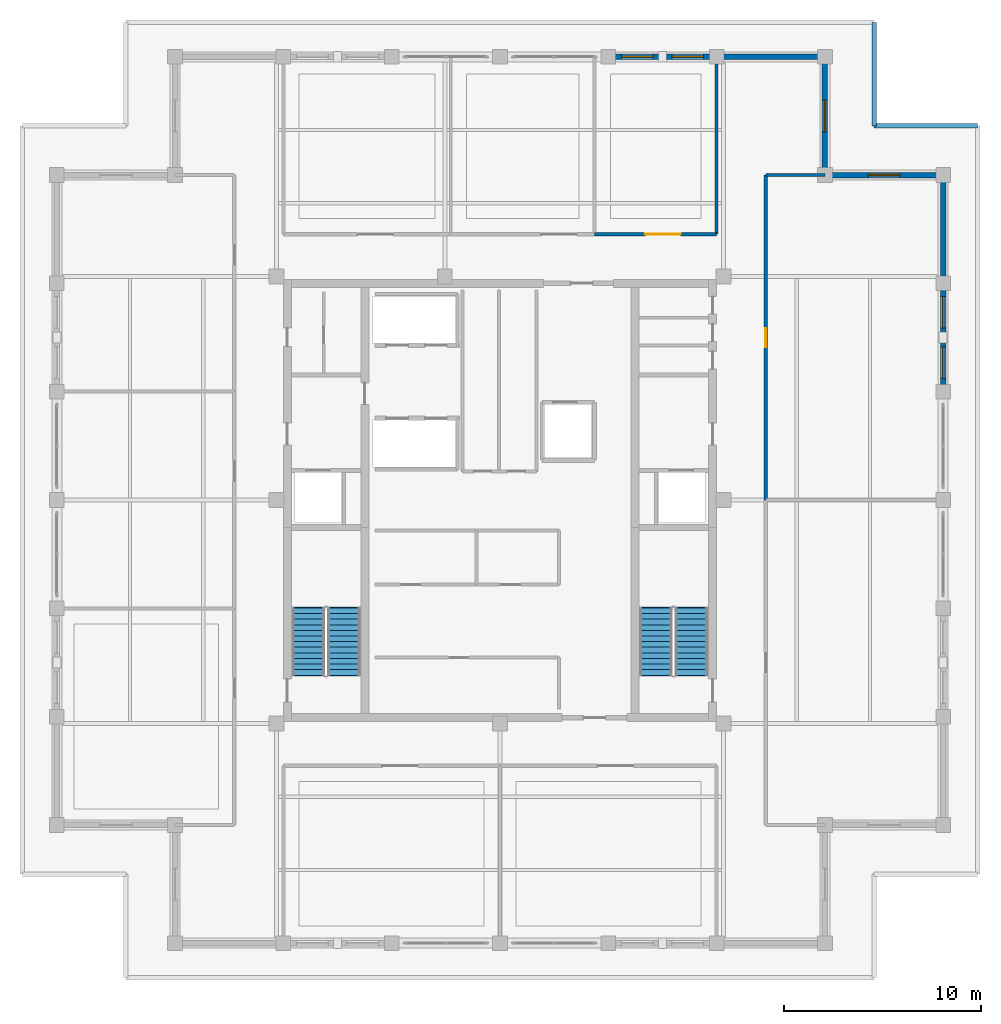
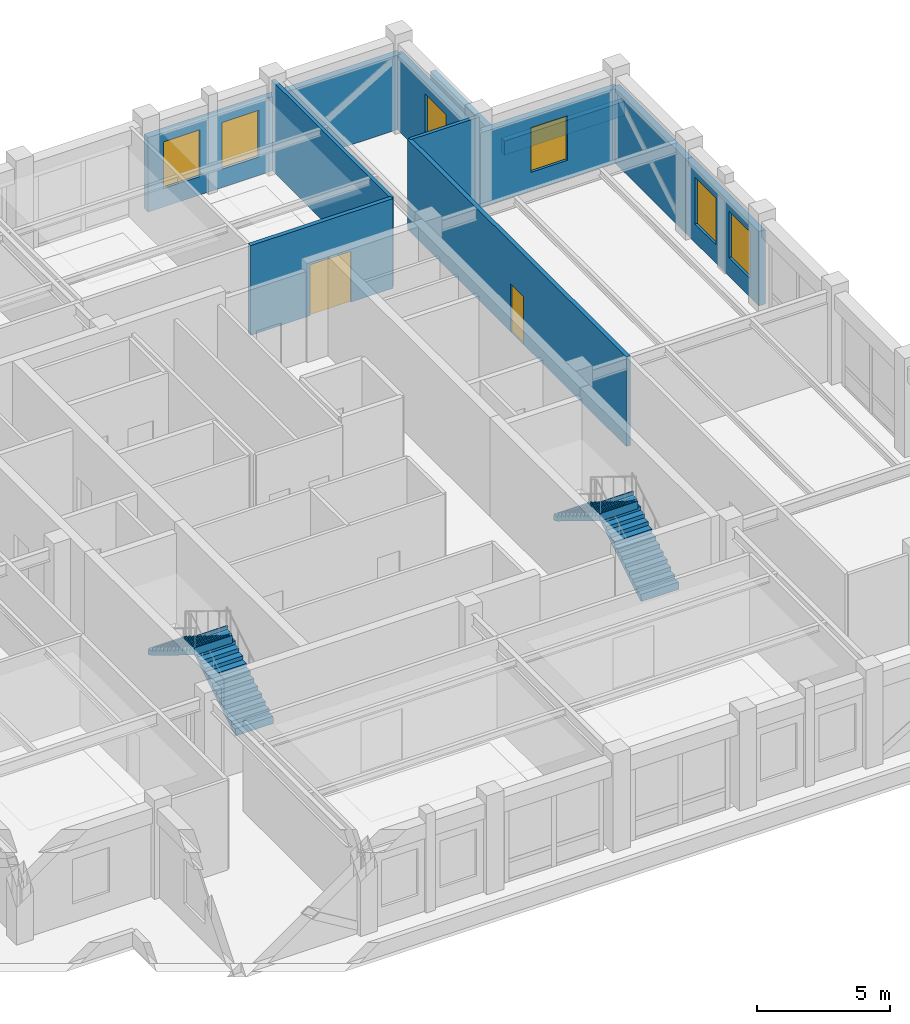
# One storey, part 10 of 13: 12 walls, 6 windows, 4 stair flights, 2 doors, 8 openings, 2 elements without a shape of their own.
"""IFC4 building model written with IfcOpenShell, lengths in metres."""

from ifc_helpers import new_model, si_unit, direction, frame, frame_2d, origin, place, context, subcontext, project, spatial, polyline, rectangle, outline, extrude, material, layer, layer_set, type_object, element, fill, aggregate, save


model = new_model("IFC4")

# Units and contexts
model_context = context("Model", 3, precision=1e-05, world=origin(), true_north=direction((0.0, 1.0)))
body_context = subcontext(model_context, "Body", "Model", "MODEL_VIEW")
ifc_project = project(units=[si_unit("LENGTHUNIT", "METRE"), si_unit("AREAUNIT", "SQUARE_METRE"), si_unit("VOLUMEUNIT", "CUBIC_METRE"), si_unit("PLANEANGLEUNIT", "RADIAN"), si_unit("MASSUNIT", "GRAM", prefix="KILO")], contexts=[model_context])

# Site, building, storey
site_placement = place(None, origin())
site = spatial("IfcSite", under=ifc_project, at=site_placement, CompositionType="ELEMENT")
building_placement = place(site_placement, origin())
building = spatial("IfcBuilding", under=site, at=building_placement, Name="Nhamokura Convention Tower", CompositionType="ELEMENT")
storey_placement = place(building_placement, frame((0.0, 0.0, 257.60009765625)))
storey = spatial("IfcBuildingStorey", under=building, at=storey_placement, Name="L63", CompositionType="ELEMENT", Elevation=257.60009765625)

# Wall, openings, windows
ifc_material_1 = material(Name="Bronze-pigmented precast concrete C45/55", Category="concrete")
ifc_layer_1 = layer(ifc_material_1, 0.280029296875)
ifc_layer_set_1 = layer_set([ifc_layer_1], Name="BronzePrecastSpandrel_280")
wall_type_1 = type_object("IfcWallType", Name="BronzePrecastSpandrel_280", PredefinedType="USERDEFINED", material=ifc_layer_set_1)
wall_1_placement = place(storey_placement, frame((37.5, 54.5, 0.0), z_axis=(0.0, 0.0, 1.0), x_axis=(1.0, 0.0, 0.0)))
wall_1 = element("IfcWall", 1, at=wall_1_placement, inside=storey, type_object=wall_type_1, Name="L63 Masonry-Frame Wall NORTH 4", ObjectType="SPANDREL_WALL", PredefinedType="USERDEFINED", context=body_context, shape_type="SweptSolid", body=[
    extrude(rectangle(XDim=5.5, YDim=0.280029296875, at=frame_2d((2.75, 0.0))), origin(), (0.0, 0.0, 1.0), 3.429931640625),
])
opening_1_placement = place(wall_1_placement, frame((0.675048828125, 0.0, 0.85009765625)))
opening_1 = element("IfcOpeningElement", 2, at=opening_1_placement, cuts=wall_1, Name="Opening W-11", PredefinedType="OPENING", context=body_context, shape_type="SweptSolid", body=[
    extrude(rectangle(XDim=1.60009765625, YDim=2.14990234375, at=frame_2d((0.800048828125, 1.074951171875))), frame((0.0, 0.14990234375, 0.0), z_axis=(0.0, -1.0, 0.0), x_axis=(1.0, 0.0, 0.0)), (0.0, 0.0, 1.0), 0.300048828125),
])
opening_2_placement = place(wall_1_placement, frame((3.22509765625, 0.0, 0.85009765625)))
opening_2 = element("IfcOpeningElement", 3, at=opening_2_placement, cuts=wall_1, Name="Opening W-11", PredefinedType="OPENING", context=body_context, shape_type="SweptSolid", body=[
    extrude(rectangle(XDim=1.60009765625, YDim=2.14990234375, at=frame_2d((0.800048828125, 1.074951171875))), frame((0.0, 0.14990234375, 0.0), z_axis=(0.0, -1.0, 0.0), x_axis=(1.0, 0.0, 0.0)), (0.0, 0.0, 1.0), 0.300048828125),
])
ifc_material_2 = material(Name="Solar-control bronze low-E double glass", Category="glass")
window_type = type_object("IfcWindowType", Name="NotchCornerWindow_1600", PartitioningType="SINGLE_PANEL", PredefinedType="WINDOW", material=ifc_material_2)
window_1_placement = place(opening_1_placement, origin())
window_1 = element("IfcWindow", 4, at=window_1_placement, inside=storey, type_object=window_type, Name="L63 Facade Window NORTH 4-1", OverallHeight=2.14990234375, OverallWidth=1.60009765625, PartitioningType="SINGLE_PANEL", PredefinedType="WINDOW", context=body_context, shape_type="SweptSolid", body=[
    extrude(rectangle(XDim=1.60009765625, YDim=2.14990234375, at=frame_2d((0.800048828125, 1.074951171875))), frame((0.0, 0.030029296875, 0.0), z_axis=(0.0, -1.0, 0.0), x_axis=(1.0, 0.0, 0.0)), (0.0, 0.0, 1.0), 0.06005859375),
])
fill(opening_1, window_1)
window_2_placement = place(opening_2_placement, origin())
window_2 = element("IfcWindow", 5, at=window_2_placement, inside=storey, type_object=window_type, Name="L63 Facade Window NORTH 4-2", OverallHeight=2.14990234375, OverallWidth=1.60009765625, PartitioningType="SINGLE_PANEL", PredefinedType="WINDOW", context=body_context, shape_type="SweptSolid", body=[
    extrude(rectangle(XDim=1.60009765625, YDim=2.14990234375, at=frame_2d((0.800048828125, 1.074951171875))), frame((0.0, 0.030029296875, 0.0), z_axis=(0.0, -1.0, 0.0), x_axis=(1.0, 0.0, 0.0)), (0.0, 0.0, 1.0), 0.06005859375),
])
fill(opening_2, window_2)

# Wall
wall_2_placement = place(storey_placement, frame((43.0, 54.5, 0.0), z_axis=(0.0, 0.0, 1.0), x_axis=(1.0, 0.0, 0.0)))
element("IfcWall", 6, at=wall_2_placement, inside=storey, type_object=wall_type_1, Name="L63 Braced-Bay Precast Wall NORTH 5", ObjectType="SPANDREL_WALL", PredefinedType="USERDEFINED", context=body_context, shape_type="SweptSolid", body=[
    extrude(rectangle(XDim=5.5, YDim=0.280029296875, at=frame_2d((2.75, 0.0))), origin(), (0.0, 0.0, 1.0), 3.429931640625),
])

# Wall, openings, windows
wall_3_placement = place(storey_placement, frame((54.5, 43.0, 0.0), z_axis=(0.0, 0.0, 1.0), x_axis=(0.0, -1.0, 0.0)))
wall_3 = element("IfcWall", 7, at=wall_3_placement, inside=storey, type_object=wall_type_1, Name="L63 Masonry-Frame Wall EAST 4", ObjectType="SPANDREL_WALL", PredefinedType="USERDEFINED", context=body_context, shape_type="SweptSolid", body=[
    extrude(rectangle(XDim=5.5, YDim=0.280029296875, at=frame_2d((2.75, 0.0))), origin(), (0.0, 0.0, 1.0), 3.429931640625),
])
opening_3_placement = place(wall_3_placement, frame((0.675048828125, 0.0, 0.85009765625)))
opening_3 = element("IfcOpeningElement", 8, at=opening_3_placement, cuts=wall_3, Name="Opening W-11", PredefinedType="OPENING", context=body_context, shape_type="SweptSolid", body=[
    extrude(rectangle(XDim=1.60009765625, YDim=2.14990234375, at=frame_2d((0.800048828125, 1.074951171875))), frame((0.0, 0.14990234375, 0.0), z_axis=(0.0, -1.0, 0.0), x_axis=(1.0, 0.0, 0.0)), (0.0, 0.0, 1.0), 0.300048828125),
])
opening_4_placement = place(wall_3_placement, frame((3.22509765625, 0.0, 0.85009765625)))
opening_4 = element("IfcOpeningElement", 9, at=opening_4_placement, cuts=wall_3, Name="Opening W-11", PredefinedType="OPENING", context=body_context, shape_type="SweptSolid", body=[
    extrude(rectangle(XDim=1.60009765625, YDim=2.14990234375, at=frame_2d((0.800048828125, 1.074951171875))), frame((0.0, 0.14990234375, 0.0), z_axis=(0.0, -1.0, 0.0), x_axis=(1.0, 0.0, 0.0)), (0.0, 0.0, 1.0), 0.300048828125),
])
window_3_placement = place(opening_3_placement, origin())
window_3 = element("IfcWindow", 10, at=window_3_placement, inside=storey, type_object=window_type, Name="L63 Facade Window EAST 4-1", OverallHeight=2.14990234375, OverallWidth=1.60009765625, PartitioningType="SINGLE_PANEL", PredefinedType="WINDOW", context=body_context, shape_type="SweptSolid", body=[
    extrude(rectangle(XDim=1.60009765625, YDim=2.14990234375, at=frame_2d((0.800048828125, 1.074951171875))), frame((0.0, 0.030029296875, 0.0), z_axis=(0.0, -1.0, 0.0), x_axis=(1.0, 0.0, 0.0)), (0.0, 0.0, 1.0), 0.06005859375),
])
fill(opening_3, window_3)
window_4_placement = place(opening_4_placement, origin())
window_4 = element("IfcWindow", 11, at=window_4_placement, inside=storey, type_object=window_type, Name="L63 Facade Window EAST 4-2", OverallHeight=2.14990234375, OverallWidth=1.60009765625, PartitioningType="SINGLE_PANEL", PredefinedType="WINDOW", context=body_context, shape_type="SweptSolid", body=[
    extrude(rectangle(XDim=1.60009765625, YDim=2.14990234375, at=frame_2d((0.800048828125, 1.074951171875))), frame((0.0, 0.030029296875, 0.0), z_axis=(0.0, -1.0, 0.0), x_axis=(1.0, 0.0, 0.0)), (0.0, 0.0, 1.0), 0.06005859375),
])
fill(opening_4, window_4)

# Wall
wall_4_placement = place(storey_placement, frame((54.5, 48.5, 0.0), z_axis=(0.0, 0.0, 1.0), x_axis=(0.0, -1.0, 0.0)))
element("IfcWall", 12, at=wall_4_placement, inside=storey, type_object=wall_type_1, Name="L63 Braced-Bay Precast Wall EAST 5", ObjectType="SPANDREL_WALL", PredefinedType="USERDEFINED", context=body_context, shape_type="SweptSolid", body=[
    extrude(rectangle(XDim=5.5, YDim=0.280029296875, at=frame_2d((2.75, 0.0))), origin(), (0.0, 0.0, 1.0), 3.429931640625),
])

# Wall, opening, window
wall_5_placement = place(storey_placement, frame((48.5, 48.5, 0.0), z_axis=(0.0, 0.0, 1.0), x_axis=(1.0, 0.0, 0.0)))
wall_5 = element("IfcWall", 13, at=wall_5_placement, inside=storey, type_object=wall_type_1, Name="L63 Notched Corner Wall NE1", ObjectType="SPANDREL_WALL", PredefinedType="USERDEFINED", context=body_context, shape_type="SweptSolid", body=[
    extrude(rectangle(XDim=6.0, YDim=0.280029296875, at=frame_2d((3.0, 0.0))), origin(), (0.0, 0.0, 1.0), 3.429931640625),
])
opening_5_placement = place(wall_5_placement, frame((2.199951171875, 0.0, 0.85009765625)))
opening_5 = element("IfcOpeningElement", 14, at=opening_5_placement, cuts=wall_5, Name="Opening W-11", PredefinedType="OPENING", context=body_context, shape_type="SweptSolid", body=[
    extrude(rectangle(XDim=1.60009765625, YDim=2.050048828125, at=frame_2d((0.800048828125, 1.02490234375))), frame((0.0, 0.14990234375, 0.0), z_axis=(0.0, -1.0, 0.0), x_axis=(1.0, 0.0, 0.0)), (0.0, 0.0, 1.0), 0.300048828125),
])
window_5_placement = place(opening_5_placement, origin())
window_5 = element("IfcWindow", 15, at=window_5_placement, inside=storey, type_object=window_type, Name="L63 Notched Corner Window NE1", OverallHeight=2.050048828125, OverallWidth=1.60009765625, PartitioningType="SINGLE_PANEL", PredefinedType="WINDOW", context=body_context, shape_type="SweptSolid", body=[
    extrude(rectangle(XDim=1.60009765625, YDim=2.050048828125, at=frame_2d((0.800048828125, 1.02490234375))), frame((0.0, 0.030029296875, 0.0), z_axis=(0.0, -1.0, 0.0), x_axis=(1.0, 0.0, 0.0)), (0.0, 0.0, 1.0), 0.06005859375),
])
fill(opening_5, window_5)

wall_6_placement = place(storey_placement, frame((48.5, 54.5, 0.0), z_axis=(0.0, 0.0, 1.0), x_axis=(0.0, -1.0, 0.0)))
wall_6 = element("IfcWall", 16, at=wall_6_placement, inside=storey, type_object=wall_type_1, Name="L63 Notched Corner Wall NE2", ObjectType="SPANDREL_WALL", PredefinedType="USERDEFINED", context=body_context, shape_type="SweptSolid", body=[
    extrude(rectangle(XDim=6.0, YDim=0.280029296875, at=frame_2d((3.0, 0.0))), origin(), (0.0, 0.0, 1.0), 3.429931640625),
])
opening_6_placement = place(wall_6_placement, frame((2.199951171875, 0.0, 0.85009765625)))
opening_6 = element("IfcOpeningElement", 17, at=opening_6_placement, cuts=wall_6, Name="Opening W-11", PredefinedType="OPENING", context=body_context, shape_type="SweptSolid", body=[
    extrude(rectangle(XDim=1.60009765625, YDim=2.050048828125, at=frame_2d((0.800048828125, 1.02490234375))), frame((0.0, 0.14990234375, 0.0), z_axis=(0.0, -1.0, 0.0), x_axis=(1.0, 0.0, 0.0)), (0.0, 0.0, 1.0), 0.300048828125),
])
window_6_placement = place(opening_6_placement, origin())
window_6 = element("IfcWindow", 18, at=window_6_placement, inside=storey, type_object=window_type, Name="L63 Notched Corner Window NE2", OverallHeight=2.050048828125, OverallWidth=1.60009765625, PartitioningType="SINGLE_PANEL", PredefinedType="WINDOW", context=body_context, shape_type="SweptSolid", body=[
    extrude(rectangle(XDim=1.60009765625, YDim=2.050048828125, at=frame_2d((0.800048828125, 1.02490234375))), frame((0.0, 0.030029296875, 0.0), z_axis=(0.0, -1.0, 0.0), x_axis=(1.0, 0.0, 0.0)), (0.0, 0.0, 1.0), 0.06005859375),
])
fill(opening_6, window_6)

# Wall, opening, door
ifc_material_3 = material(Name="Fire-rated gypsum and masonry partition", Category="masonry")
ifc_layer_2 = layer(ifc_material_3, 0.179931640625)
ifc_layer_set_2 = layer_set([ifc_layer_2], Name="CorridorRatedWall_180")
wall_type_2 = type_object("IfcWallType", Name="CorridorRatedWall_180", PredefinedType="STANDARD", material=ifc_layer_set_2)
wall_7_placement = place(storey_placement, frame((36.800048828125, 45.5, 0.0), z_axis=(0.0, 0.0, 1.0), x_axis=(1.0, 0.0, 0.0)))
wall_7 = element("IfcWall", 19, at=wall_7_placement, inside=storey, type_object=wall_type_2, Name="L63 Wall INT-L63-CW-N02", PredefinedType="STANDARD", context=body_context, shape_type="SweptSolid", body=[
    extrude(rectangle(XDim=6.199951171875, YDim=0.179931640625, at=frame_2d((3.10009765625, 0.0))), origin(), (0.0, 0.0, 1.0), 4.1298828125),
])
opening_7_placement = place(wall_7_placement, frame((2.574951171875, 0.0, 0.0)))
opening_7 = element("IfcOpeningElement", 20, at=opening_7_placement, cuts=wall_7, Name="Opening D-03", PredefinedType="OPENING", context=body_context, shape_type="SweptSolid", body=[
    extrude(rectangle(XDim=1.800048828125, YDim=2.35009765625, at=frame_2d((0.89990234375, 1.175048828125))), frame((0.0, 0.099853515625, 0.0), z_axis=(0.0, -1.0, 0.0), x_axis=(1.0, 0.0, 0.0)), (0.0, 0.0, 1.0), 0.199951171875),
])
ifc_material_4 = material(Name="Solid oak hardwood", Category="wood")
door_type_1 = type_object("IfcDoorType", Name="BallroomDoubleDoor_1800", OperationType="DOUBLE_DOOR_SINGLE_SWING", PredefinedType="DOOR", material=ifc_material_4)
door_1_placement = place(opening_7_placement, origin())
door_1 = element("IfcDoor", 21, at=door_1_placement, inside=storey, type_object=door_type_1, Name="L63 Private Office N03 Door", OperationType="SINGLE_SWING_LEFT", OverallHeight=2.35009765625, OverallWidth=1.800048828125, PredefinedType="DOOR", context=body_context, shape_type="SweptSolid", body=[
    extrude(rectangle(XDim=1.800048828125, YDim=2.35009765625, at=frame_2d((0.89990234375, 1.175048828125))), frame((0.0, 0.02490234375, 0.0), z_axis=(0.0, -1.0, 0.0), x_axis=(1.0, 0.0, 0.0)), (0.0, 0.0, 1.0), 0.050048828125),
])
fill(opening_7, door_1)

wall_8_placement = place(storey_placement, frame((45.5, 32.0, 0.0), z_axis=(0.0, 0.0, 1.0), x_axis=(0.0, 1.0, 0.0)))
wall_8 = element("IfcWall", 22, at=wall_8_placement, inside=storey, type_object=wall_type_2, Name="L63 Wall INT-L63-CW-E01", PredefinedType="STANDARD", context=body_context, shape_type="SweptSolid", body=[
    extrude(rectangle(XDim=16.5, YDim=0.179931640625, at=frame_2d((8.25, 0.0))), origin(), (0.0, 0.0, 1.0), 4.1298828125),
])
opening_8_placement = place(wall_8_placement, frame((7.75, 0.0, 0.0)))
opening_8 = element("IfcOpeningElement", 23, at=opening_8_placement, cuts=wall_8, Name="Opening D-08", PredefinedType="OPENING", context=body_context, shape_type="SweptSolid", body=[
    extrude(rectangle(XDim=0.97998046875, YDim=2.199951171875, at=frame_2d((0.489990234375, 1.10009765625))), frame((0.0, 0.099853515625, 0.0), z_axis=(0.0, -1.0, 0.0), x_axis=(1.0, 0.0, 0.0)), (0.0, 0.0, 1.0), 0.199951171875),
])
ifc_material_5 = material(Name="Solid oak hardwood", Category="wood")
door_type_2 = type_object("IfcDoorType", Name="OfficeEntryDoor_980", OperationType="NOTDEFINED", PredefinedType="DOOR", material=ifc_material_5)
door_2_placement = place(opening_8_placement, origin())
door_2 = element("IfcDoor", 24, at=door_2_placement, inside=storey, type_object=door_type_2, Name="L63 Security Office E02 Door", OperationType="SINGLE_SWING_RIGHT", OverallHeight=2.199951171875, OverallWidth=0.97998046875, PredefinedType="DOOR", context=body_context, shape_type="SweptSolid", body=[
    extrude(rectangle(XDim=0.97998046875, YDim=2.199951171875, at=frame_2d((0.489990234375, 1.10009765625))), frame((0.0, 0.02490234375, 0.0), z_axis=(0.0, -1.0, 0.0), x_axis=(1.0, 0.0, 0.0)), (0.0, 0.0, 1.0), 0.050048828125),
])
fill(opening_8, door_2)

# Walls
ifc_material_6 = material(Name="Acoustic gypsum stud partition", Category="masonry")
ifc_layer_3 = layer(ifc_material_6, 0.14990234375)
ifc_layer_set_3 = layer_set([ifc_layer_3], Name="InteriorPartition_150")
wall_type_3 = type_object("IfcWallType", Name="InteriorPartition_150", PredefinedType="STANDARD", material=ifc_layer_set_3)
wall_9_placement = place(storey_placement, frame((43.0, 45.5, 0.0), z_axis=(0.0, 0.0, 1.0), x_axis=(0.0, 1.0, 0.0)))
element("IfcWall", 25, at=wall_9_placement, inside=storey, type_object=wall_type_3, Name="L63 Wall INT-L63-RWR-N", PredefinedType="STANDARD", context=body_context, shape_type="SweptSolid", body=[
    extrude(rectangle(XDim=8.93994140625, YDim=0.14990234375, at=frame_2d((4.469970703125, 0.0))), origin(), (0.0, 0.0, 1.0), 4.1298828125),
])
wall_10_placement = place(storey_placement, frame((45.5, 48.5, 0.0), z_axis=(0.0, 0.0, 1.0), x_axis=(1.0, 0.0, 0.0)))
element("IfcWall", 26, at=wall_10_placement, inside=storey, type_object=wall_type_3, Name="L63 Wall INT-L63-VSTP-EN", PredefinedType="STANDARD", context=body_context, shape_type="SweptSolid", body=[
    extrude(rectangle(XDim=3.0, YDim=0.14990234375, at=frame_2d((1.5, 0.0))), origin(), (0.0, 0.0, 1.0), 4.1298828125),
])
ifc_material_7 = material(Name="Bronze-pigmented precast concrete C45/55", Category="concrete")
ifc_layer_4 = layer(ifc_material_7, 0.239990234375)
ifc_layer_set_4 = layer_set([ifc_layer_4], Name="TerraceParapet_240")
wall_type_4 = type_object("IfcWallType", Name="TerraceParapet_240", PredefinedType="PARAPET", material=ifc_layer_set_4)
for number, where, z_axis, x_axis, name in (
    (27, (56.25, 51.0, 0.0), (0.0, 0.0, 1.0), (-1.0, 0.0, 0.0), "L63 Setback Roof Parapet 04"),
    (28, (51.0, 51.0, 0.0), (0.0, 0.0, 1.0), (0.0, 1.0, 0.0), "L63 Setback Roof Parapet 05"),
):
    element("IfcWall", number, at=place(storey_placement, frame(where, z_axis=z_axis, x_axis=x_axis)), inside=storey, type_object=wall_type_4, Name=name, PredefinedType="PARAPET", context=body_context, shape_type="SweptSolid", body=[
        extrude(rectangle(XDim=5.25, YDim=0.239990234375, at=frame_2d((2.625, 0.0))), origin(), (0.0, 0.0, 1.0), 0.64990234375),
    ])

# Stair, stair flights
ifc_material_8 = material(Name="Concrete C40/50", Category="concrete")
stair_type = type_object("IfcStairType", Name="TowerCoreStair_1650", PredefinedType="HALF_TURN_STAIR", material=ifc_material_8)
stair_1_placement = place(storey_placement, origin())
stair_1 = element("IfcStair", 29, at=stair_1_placement, inside=storey, type_object=stair_type, Name="L63 West Core Smokeproof Stair ST-01", PredefinedType="HALF_TURN_STAIR")
ifc_material_9 = material(Name="Concrete C40/50", Category="concrete")
stair_flight_type = type_object("IfcStairFlightType", Name="TowerCoreStair_1650_Flight", PredefinedType="STRAIGHT", material=ifc_material_9)
stair_flight_1_placement = place(storey_placement, frame((24.074951171875, 23.10009765625, 0.0), z_axis=(0.0, 0.0, 1.0), x_axis=(0.0, 1.0, 0.0)))
stair_flight_1 = element("IfcStairFlight", 30, at=stair_flight_1_placement, type_object=stair_flight_type, Name="ST-01 flight 1", NumberOfRisers=13, NumberOfTreads=12, PredefinedType="STRAIGHT", RiserHeight=0.175, TreadLength=0.285, context=body_context, shape_type="SweptSolid", body=[
    extrude(outline(polyline([(-0.0419921875, 0.0), (0.0, 0.175048828125), (0.284912109375, 0.175048828125), (0.284912109375, 0.35009765625), (0.570068359375, 0.35009765625), (0.570068359375, 0.52490234375), (0.85498046875, 0.52490234375), (0.85498046875, 0.699951171875), (1.139892578125, 0.699951171875), (1.139892578125, 0.875), (1.425048828125, 0.875), (1.425048828125, 1.050048828125), (1.7099609375, 1.050048828125), (1.7099609375, 1.22509765625), (1.9951171875, 1.22509765625), (1.9951171875, 1.39990234375), (2.280029296875, 1.39990234375), (2.280029296875, 1.574951171875), (2.56494140625, 1.574951171875), (2.56494140625, 1.75), (2.85009765625, 1.75), (2.85009765625, 1.925048828125), (3.135009765625, 1.925048828125), (3.135009765625, 2.10009765625), (3.419921875, 2.10009765625), (3.419921875, 2.27490234375), (3.4619140625, 2.27490234375), (3.4619140625, 1.924072265625), (3.419921875, 1.924072265625), (0.286376953125, 0.0), (0.02001953125, -0.1298828125), (-0.0419921875, -0.1298828125), (-0.0419921875, 0.0)])), frame((0.0, 0.824951171875, 0.0), z_axis=(0.0, -1.0, 0.0), x_axis=(1.0, 0.0, 0.0)), (0.0, 0.0, 1.0), 1.64990234375),
])
stair_flight_2_placement = place(storey_placement, frame((22.27490234375, 26.52001953125, 2.27490234375), z_axis=(0.0, 0.0, 1.0), x_axis=(0.0, -1.0, 0.0)))
stair_flight_2 = element("IfcStairFlight", 31, at=stair_flight_2_placement, type_object=stair_flight_type, Name="ST-01 flight 2", NumberOfRisers=13, NumberOfTreads=12, PredefinedType="STRAIGHT", RiserHeight=0.175, TreadLength=0.285, context=body_context, shape_type="SweptSolid", body=[
    extrude(outline(polyline([(-0.0419921875, 0.0), (0.0, 0.175048828125), (0.284912109375, 0.175048828125), (0.284912109375, 0.35009765625), (0.570068359375, 0.35009765625), (0.570068359375, 0.52490234375), (0.85498046875, 0.52490234375), (0.85498046875, 0.699951171875), (1.139892578125, 0.699951171875), (1.139892578125, 0.875), (1.425048828125, 0.875), (1.425048828125, 1.050048828125), (1.7099609375, 1.050048828125), (1.7099609375, 1.22509765625), (1.9951171875, 1.22509765625), (1.9951171875, 1.39990234375), (2.280029296875, 1.39990234375), (2.280029296875, 1.574951171875), (2.56494140625, 1.574951171875), (2.56494140625, 1.75), (2.85009765625, 1.75), (2.85009765625, 1.925048828125), (3.135009765625, 1.925048828125), (3.135009765625, 2.10009765625), (3.419921875, 2.10009765625), (3.419921875, 2.27490234375), (3.4619140625, 2.27490234375), (3.4619140625, 1.924072265625), (3.419921875, 1.924072265625), (0.286376953125, 0.0), (0.02001953125, -0.1298828125), (-0.0419921875, -0.1298828125), (-0.0419921875, 0.0)])), frame((0.0, 0.824951171875, 0.0), z_axis=(0.0, -1.0, 0.0), x_axis=(1.0, 0.0, 0.0)), (0.0, 0.0, 1.0), 1.64990234375),
])
aggregate(stair_1, [stair_flight_1, stair_flight_2])

stair_2_placement = place(storey_placement, origin())
stair_2 = element("IfcStair", 32, at=stair_2_placement, inside=storey, type_object=stair_type, Name="L63 East Core Smokeproof Stair ST-02", PredefinedType="HALF_TURN_STAIR")
stair_flight_3_placement = place(storey_placement, frame((41.72509765625, 23.10009765625, 0.0), z_axis=(0.0, 0.0, 1.0), x_axis=(0.0, 1.0, 0.0)))
stair_flight_3 = element("IfcStairFlight", 33, at=stair_flight_3_placement, type_object=stair_flight_type, Name="ST-02 flight 1", NumberOfRisers=13, NumberOfTreads=12, PredefinedType="STRAIGHT", RiserHeight=0.175, TreadLength=0.285, context=body_context, shape_type="SweptSolid", body=[
    extrude(outline(polyline([(-0.0419921875, 0.0), (0.0, 0.175048828125), (0.284912109375, 0.175048828125), (0.284912109375, 0.35009765625), (0.570068359375, 0.35009765625), (0.570068359375, 0.52490234375), (0.85498046875, 0.52490234375), (0.85498046875, 0.699951171875), (1.139892578125, 0.699951171875), (1.139892578125, 0.875), (1.425048828125, 0.875), (1.425048828125, 1.050048828125), (1.7099609375, 1.050048828125), (1.7099609375, 1.22509765625), (1.9951171875, 1.22509765625), (1.9951171875, 1.39990234375), (2.280029296875, 1.39990234375), (2.280029296875, 1.574951171875), (2.56494140625, 1.574951171875), (2.56494140625, 1.75), (2.85009765625, 1.75), (2.85009765625, 1.925048828125), (3.135009765625, 1.925048828125), (3.135009765625, 2.10009765625), (3.419921875, 2.10009765625), (3.419921875, 2.27490234375), (3.4619140625, 2.27490234375), (3.4619140625, 1.924072265625), (3.419921875, 1.924072265625), (0.286376953125, 0.0), (0.02001953125, -0.1298828125), (-0.0419921875, -0.1298828125), (-0.0419921875, 0.0)])), frame((0.0, 0.824951171875, 0.0), z_axis=(0.0, -1.0, 0.0), x_axis=(1.0, 0.0, 0.0)), (0.0, 0.0, 1.0), 1.64990234375),
])
stair_flight_4_placement = place(storey_placement, frame((39.925048828125, 26.52001953125, 2.27490234375), z_axis=(0.0, 0.0, 1.0), x_axis=(0.0, -1.0, 0.0)))
stair_flight_4 = element("IfcStairFlight", 34, at=stair_flight_4_placement, type_object=stair_flight_type, Name="ST-02 flight 2", NumberOfRisers=13, NumberOfTreads=12, PredefinedType="STRAIGHT", RiserHeight=0.175, TreadLength=0.285, context=body_context, shape_type="SweptSolid", body=[
    extrude(outline(polyline([(-0.0419921875, 0.0), (0.0, 0.175048828125), (0.284912109375, 0.175048828125), (0.284912109375, 0.35009765625), (0.570068359375, 0.35009765625), (0.570068359375, 0.52490234375), (0.85498046875, 0.52490234375), (0.85498046875, 0.699951171875), (1.139892578125, 0.699951171875), (1.139892578125, 0.875), (1.425048828125, 0.875), (1.425048828125, 1.050048828125), (1.7099609375, 1.050048828125), (1.7099609375, 1.22509765625), (1.9951171875, 1.22509765625), (1.9951171875, 1.39990234375), (2.280029296875, 1.39990234375), (2.280029296875, 1.574951171875), (2.56494140625, 1.574951171875), (2.56494140625, 1.75), (2.85009765625, 1.75), (2.85009765625, 1.925048828125), (3.135009765625, 1.925048828125), (3.135009765625, 2.10009765625), (3.419921875, 2.10009765625), (3.419921875, 2.27490234375), (3.4619140625, 2.27490234375), (3.4619140625, 1.924072265625), (3.419921875, 1.924072265625), (0.286376953125, 0.0), (0.02001953125, -0.1298828125), (-0.0419921875, -0.1298828125), (-0.0419921875, 0.0)])), frame((0.0, 0.824951171875, 0.0), z_axis=(0.0, -1.0, 0.0), x_axis=(1.0, 0.0, 0.0)), (0.0, 0.0, 1.0), 1.64990234375),
])
aggregate(stair_2, [stair_flight_3, stair_flight_4])

save(model, "model.ifc")
